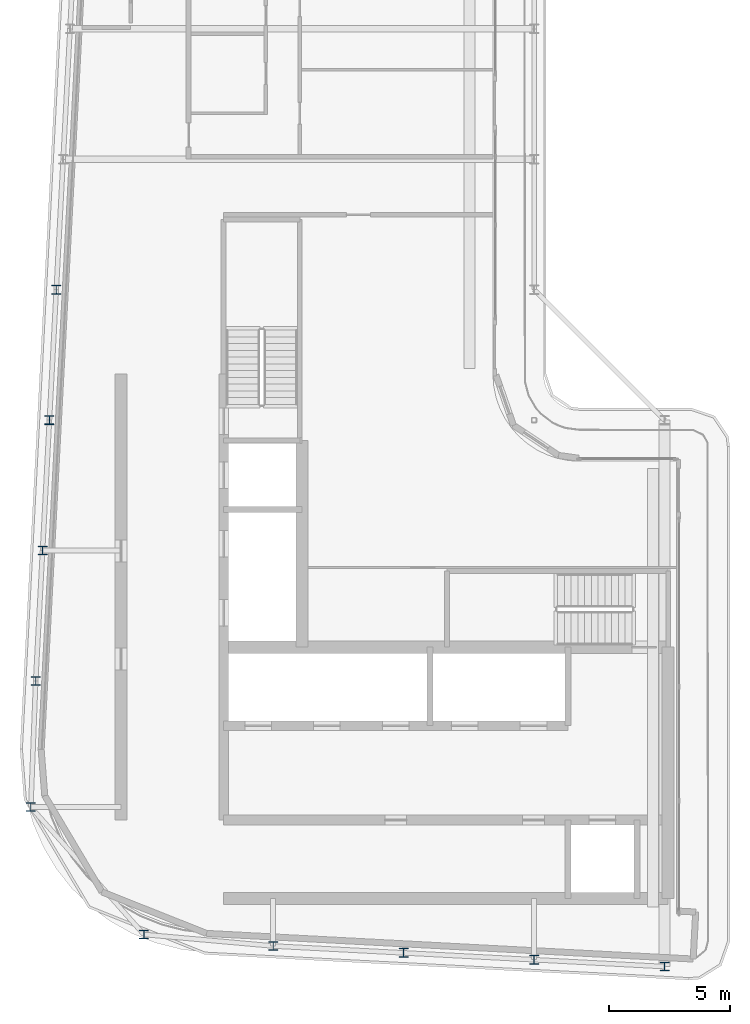
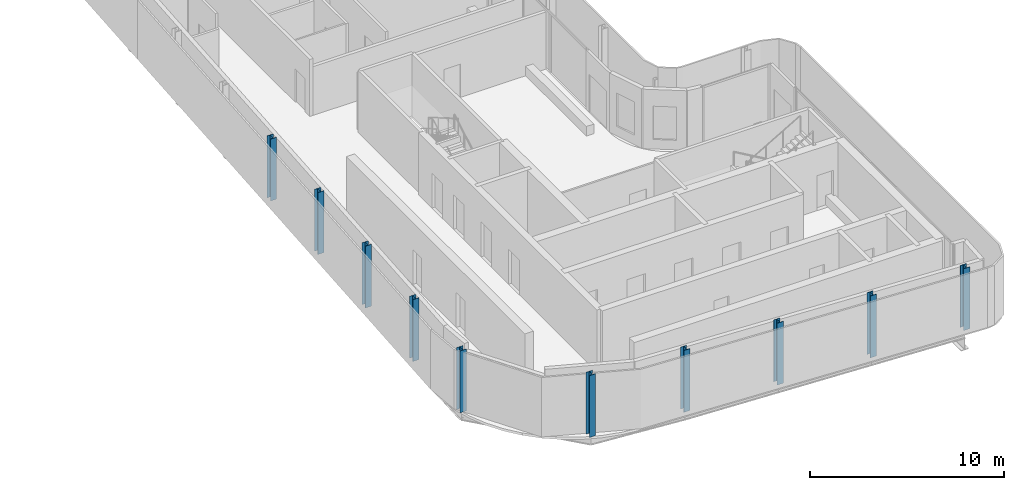
# One storey, part 1 of 18: 10 columns.
"""IFC4 building model written with IfcOpenShell, lengths in metres."""

from ifc_helpers import new_model, si_unit, direction, frame, origin, origin_2d, place, context, subcontext, project, spatial, i_section, extrude, material, material_profile, profile_set, type_object, element, save


model = new_model("IFC4")

# Units and contexts
model_context = context("Model", 3, precision=1e-05, world=origin(), true_north=direction((0.0, 1.0)))
body_context = subcontext(model_context, "Body", "Model", "MODEL_VIEW")
ifc_project = project(units=[si_unit("LENGTHUNIT", "METRE"), si_unit("AREAUNIT", "SQUARE_METRE"), si_unit("VOLUMEUNIT", "CUBIC_METRE"), si_unit("PLANEANGLEUNIT", "RADIAN"), si_unit("MASSUNIT", "GRAM", prefix="KILO")], contexts=[model_context])

# Site, building, storey
site_placement = place(None, origin())
site = spatial("IfcSite", under=ifc_project, at=site_placement, CompositionType="ELEMENT")
building_placement = place(site_placement, origin())
building = spatial("IfcBuilding", under=site, at=building_placement, Name="Kheshtan School and Residences Tower", CompositionType="ELEMENT")
storey_placement = place(building_placement, frame((0.0, 0.0, 361.699951171875)))
storey = spatial("IfcBuildingStorey", under=building, at=storey_placement, Name="L85", CompositionType="ELEMENT", Elevation=361.699951171875)

# Columns
ifc_material = material(Name="Steel ASTM A992 Grade 50", Category="steel")
ifc_material_profile = material_profile(ifc_material, i_section(OverallWidth=0.37109375, OverallDepth=0.364013671875, WebThickness=0.01318359375, FlangeThickness=0.021728515625, FilletRadius=0.010986328125, at=origin_2d()), Name="W360x162")
ifc_profile_set = profile_set([ifc_material_profile], Name="Steel ASTM A992 Grade 50")
column_type = type_object("IfcColumnType", Name="Column C6 W360x162 ASTM A992 Grade 50", PredefinedType="COLUMN", material=ifc_profile_set)
for number, where, z_axis, x_axis, name in (
    (1, (53.0, 22.97998046875, 0.0), (0.0, 0.0, 1.0), (1.0, 0.0, 0.0), "Column C019"),
    (2, (47.60009765625, 23.263916015625, 0.0), (0.0, 0.0, 1.0), (1.0, 0.0, 0.0), "Column C020"),
    (3, (42.199951171875, 23.548095703125, 0.0), (0.0, 0.0, 1.0), (1.0, 0.0, 0.0), "Column C021"),
    (4, (36.800048828125, 23.83203125, 0.0), (0.0, 0.0, 1.0), (1.0, 0.0, 0.0), "Column C022"),
    (5, (31.447021484375, 24.31005859375, 0.0), (0.0, 0.0, 1.0), (1.0, 0.0, 0.0), "Column C034"),
    (6, (26.76708984375, 29.58203125, 0.0), (0.0, 0.0, 1.0), (1.0, 0.0, 0.0), "Column C048"),
    (7, (26.968994140625, 34.800048828125, 0.0), (0.0, 0.0, 1.0), (1.0, 0.0, 0.0), "Column C052"),
    (8, (27.2529296875, 40.199951171875, 0.0), (0.0, 0.0, 1.0), (1.0, 0.0, 0.0), "Column C056"),
    (9, (27.537109375, 45.60009765625, 0.0), (0.0, 0.0, 1.0), (1.0, 0.0, 0.0), "Column C059"),
    (10, (27.822021484375, 51.0, 0.0), (0.0, 0.0, 1.0), (1.0, 0.0, 0.0), "Column C078"),
):
    element("IfcColumn", number, at=place(storey_placement, frame(where, z_axis=z_axis, x_axis=x_axis)), inside=storey, type_object=column_type, Name=name, PredefinedType="COLUMN", context=body_context, shape_type="SweptSolid", body=[
        extrude(i_section(OverallWidth=0.37109375, OverallDepth=0.364013671875, WebThickness=0.01318359375, FlangeThickness=0.021728515625, FilletRadius=0.010986328125, at=origin_2d()), origin(), (0.0, 0.0, 1.0), 3.900146484375),
    ])

save(model, "model.ifc")
